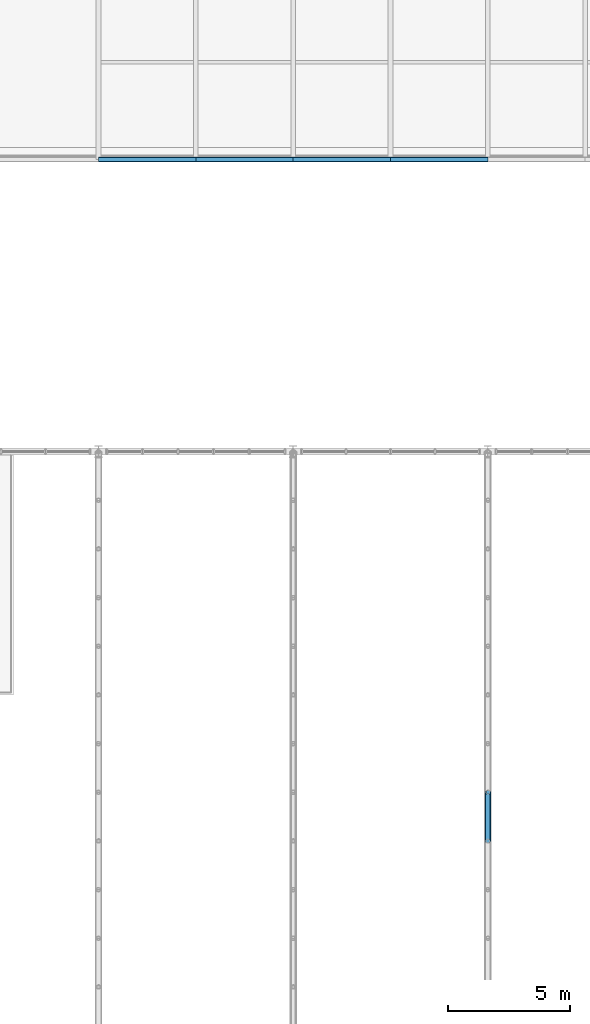
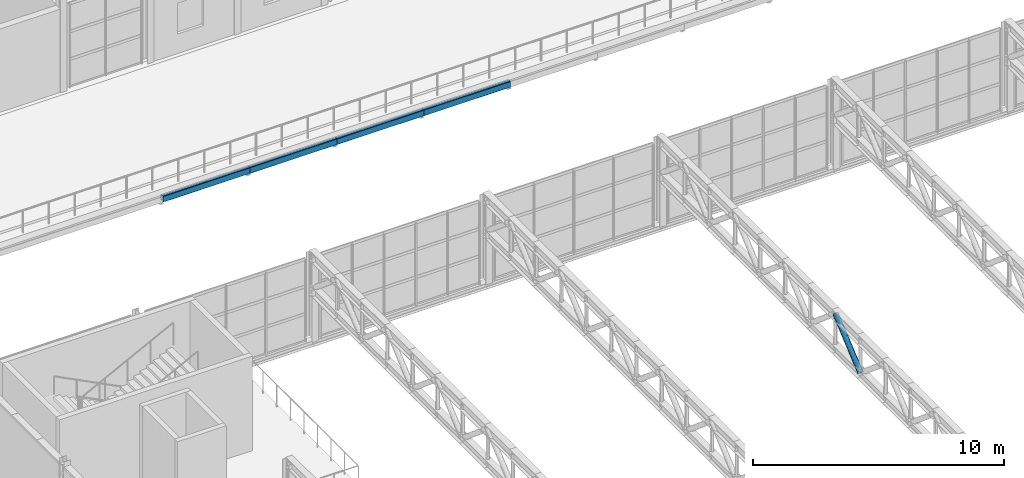
# One storey, part 33 of 67: 4 beams, 1 member.
"""IFC4 building model written with IfcOpenShell, lengths in metres."""

from ifc_helpers import new_model, si_unit, derived_unit, direction, frame, origin, origin_2d, place, context, subcontext, project, spatial, hollow_rectangle, hollow_circle, extrude, material, material_profile, profile_set, type_object, element, save


model = new_model("IFC4")

# Units and contexts
model_context = context("Model", 3, precision=1e-05, world=origin(), true_north=direction((0.0, 1.0)))
body_context = subcontext(model_context, "Body", "Model", "MODEL_VIEW")
ifc_project = project(units=[si_unit("LENGTHUNIT", "METRE"), si_unit("AREAUNIT", "SQUARE_METRE"), si_unit("VOLUMEUNIT", "CUBIC_METRE"), si_unit("PLANEANGLEUNIT", "RADIAN"), si_unit("MASSUNIT", "GRAM", prefix="KILO"), derived_unit("THERMALTRANSMITTANCEUNIT", [(si_unit("POWERUNIT", "WATT"), 1), (si_unit("LENGTHUNIT", "METRE"), -2), (si_unit("THERMODYNAMICTEMPERATUREUNIT", "KELVIN"), -1)])], contexts=[model_context])

# Site, building, storey
site_placement = place(None, origin())
site = spatial("IfcSite", under=ifc_project, at=site_placement, CompositionType="ELEMENT")
building_placement = place(site_placement, origin())
building = spatial("IfcBuilding", under=site, at=building_placement, Name="Keldorne Ridge Multi-Sports Centre", CompositionType="ELEMENT")
storey_placement = place(building_placement, frame((0.0, 0.0, 14.0)))
storey = spatial("IfcBuildingStorey", under=building, at=storey_placement, Name="L03", CompositionType="ELEMENT", Elevation=14.0)

# Beams
ifc_material = material(Name="Steel S355", Category="steel")
ifc_material_profile_1 = material_profile(ifc_material, hollow_rectangle(XDim=0.199951171875, YDim=0.300048828125, WallThickness=0.012451171875, InnerFilletRadius=0.012451171875, OuterFilletRadius=0.02490234375, at=origin_2d()), Name="RHS 300x200x12.5")
ifc_profile_set_1 = profile_set([ifc_material_profile_1], Name="Steel S355")
beam_type = type_object("IfcBeamType", Name="BM-SP-01", PredefinedType="SPANDREL", material=ifc_profile_set_1)
for number, where, z_axis, x_axis, name in (
    (1, (120.0, 66.0, -0.449951171875), (1.0, 0.0, 0.0), (0.0, 1.0, 0.0), "L03 primary beam 3.66"),
    (2, (124.0, 66.0, -0.449951171875), (1.0, 0.0, 0.0), (0.0, 1.0, 0.0), "L03 primary beam 4.66"),
    (3, (128.0, 66.0, -0.449951171875), (1.0, 0.0, 0.0), (0.0, 1.0, 0.0), "L03 primary beam 5.66"),
    (4, (132.0, 66.0, -0.449951171875), (1.0, 0.0, 0.0), (0.0, 1.0, 0.0), "L03 primary beam 6.66"),
):
    element("IfcBeam", number, at=place(storey_placement, frame(where, z_axis=z_axis, x_axis=x_axis)), inside=storey, type_object=beam_type, Name=name, PredefinedType="SPANDREL", context=body_context, shape_type="SweptSolid", body=[
        extrude(hollow_rectangle(XDim=0.199951171875, YDim=0.300048828125, WallThickness=0.012451171875, InnerFilletRadius=0.012451171875, OuterFilletRadius=0.02490234375, at=origin_2d()), origin(), (0.0, 0.0, 1.0), 4.0),
    ])

# Member
ifc_material_profile_2 = material_profile(ifc_material, hollow_circle(Radius=0.122314453125, WallThickness=0.012451171875, at=origin_2d()), Name="CHS 244.5x12.5")
ifc_profile_set_2 = profile_set([ifc_material_profile_2], Name="Steel S355")
member_type = type_object("IfcMemberType", Name="MEM-TD-02", PredefinedType="BRACE", material=ifc_profile_set_2)
member_placement = place(storey_placement, frame((136.0, 38.0, 2.429931640625), z_axis=(0.0, 0.765671721121, 0.643231541108), x_axis=(-1.0, 0.0, 0.0)))
element("IfcMember", 5, at=member_placement, inside=storey, type_object=member_type, Name="Stacked Courts Warren TRUSS WT-L04-05 diagonal 17", PredefinedType="BRACE", context=body_context, shape_type="SweptSolid", body=[
    extrude(hollow_circle(Radius=0.122314453125, WallThickness=0.012451171875, at=origin_2d()), origin(), (0.0, 0.0, 1.0), 2.612060546875),
])

save(model, "model.ifc")
